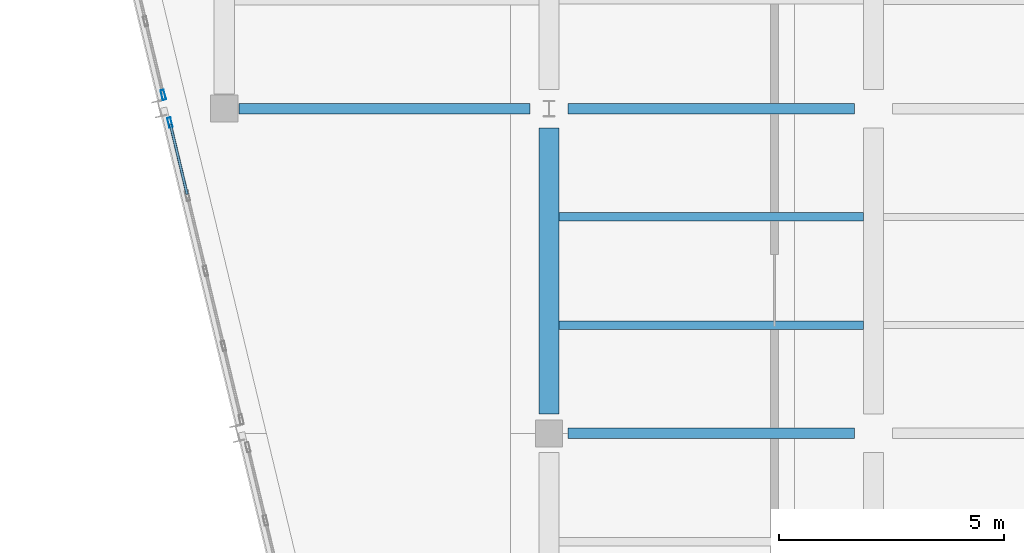
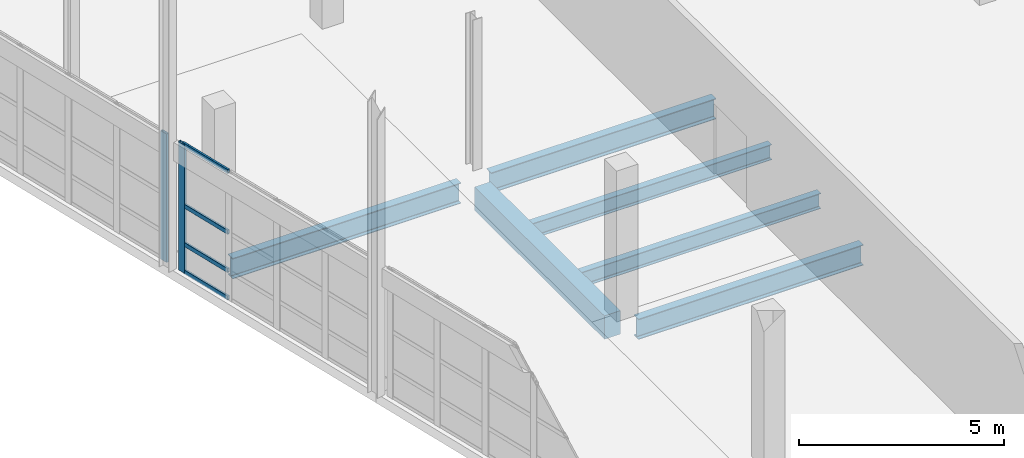
# One storey, part 65 of 123: 6 beams, 6 members, 2 elements without a shape of their own.
"""IFC4 building model written with IfcOpenShell, lengths in metres."""

import ifcopenshell
import ifcopenshell.guid

model = None  # the IFC model being written
_history = None  # IfcOwnerHistory: only IFC2X3 demands one
_inside = {}  # id of a spatial element -> (the spatial element, [elements in it])
_under = {}  # id of a project, library or spatial element -> (it, [spatial elements below it])
_declared = {}  # id of a project -> (the project, [libraries it declares])
_typed = {}  # id of a type object -> (the type object, [elements of that type])
_made_of = {}  # id of a material, layer set ... -> (it, [elements and type objects made of it])


def new_model(schema):
    """Start an empty IFC model of exactly this schema.

    Asked for "IFC4X3", IfcOpenShell would pick the latest addendum, in which some entities
    have other attributes; the version numbers below select the first issue.
    IFC2X3 requires an IfcOwnerHistory on every rooted entity: one is made here for all.
    """
    global model, _history
    if schema == "IFC4X3":
        model = ifcopenshell.file(schema_version=(4, 3, 0, 0))
    else:
        model = ifcopenshell.file(schema=schema)
    _inside.clear()
    _under.clear()
    _declared.clear()
    _typed.clear()
    _made_of.clear()
    _history = None
    if model.schema == "IFC2X3":
        org = make("IfcOrganization", Name="unknown")
        user = make(
            "IfcPersonAndOrganization",
            ThePerson=make("IfcPerson", FamilyName="unknown"),
            TheOrganization=org,
        )
        app = make(
            "IfcApplication",
            ApplicationDeveloper=org,
            Version="unknown",
            ApplicationFullName="unknown",
            ApplicationIdentifier="unknown",
        )
        _history = make(
            "IfcOwnerHistory",
            OwningUser=user,
            OwningApplication=app,
            ChangeAction="ADDED",
            CreationDate=0,
        )
    return model


def make(cls, **values):
    """One entity of the class cls with the attributes given. An attribute that is None is left unset."""
    return model.create_entity(
        cls, **{name: value for name, value in values.items() if value is not None}
    )


def rooted(cls, **values):
    """An entity with a GlobalId (a new one), such as an element, a storey or a relation."""
    return make(cls, GlobalId=ifcopenshell.guid.new(), OwnerHistory=_history, **values)


def si_unit(unit_type, name, prefix=None):
    """IfcSIUnit, for example si_unit("LENGTHUNIT", "METRE", prefix="MILLI")."""
    return make("IfcSIUnit", UnitType=unit_type, Prefix=prefix, Name=name)


def assignment(units):
    """IfcUnitAssignment: the units of a project."""
    return None if units is None else make("IfcUnitAssignment", Units=units)


def point(xyz):
    """IfcCartesianPoint."""
    return None if xyz is None else make("IfcCartesianPoint", Coordinates=xyz)


def direction(xyz):
    """IfcDirection."""
    return None if xyz is None else make("IfcDirection", DirectionRatios=xyz)


def frame(location, z_axis=None, x_axis=None):
    """IfcAxis2Placement3D, a coordinate frame: its origin and axes. An axis left out is left unset."""
    return make(
        "IfcAxis2Placement3D",
        Location=point(location),
        Axis=direction(z_axis),
        RefDirection=direction(x_axis),
    )


def frame_2d(location, x_axis=None):
    """IfcAxis2Placement2D, a coordinate frame in the plane: its origin and x axis."""
    return make(
        "IfcAxis2Placement2D", Location=point(location), RefDirection=direction(x_axis)
    )


def origin():
    """The frame at (0, 0, 0) with its axes left unset."""
    return frame((0.0, 0.0, 0.0))


def origin_2d():
    """The frame at (0, 0) in the plane with its x axis left unset."""
    return frame_2d((0.0, 0.0))


def place(relative_to, where):
    """IfcLocalPlacement: puts the frame where relative to a parent placement (None: the world)."""
    return make(
        "IfcLocalPlacement", PlacementRelTo=relative_to, RelativePlacement=where
    )


def context(
    kind, dimensions, precision=None, world=None, true_north=None, identifier=None
):
    """IfcGeometricRepresentationContext, for example the 3D "Model" context."""
    return make(
        "IfcGeometricRepresentationContext",
        ContextIdentifier=identifier,
        ContextType=kind,
        CoordinateSpaceDimension=dimensions,
        Precision=precision,
        WorldCoordinateSystem=world,
        TrueNorth=true_north,
    )


def subcontext(parent, identifier, kind, view, scale=None):
    """IfcGeometricRepresentationSubContext, for example "Body" below "Model"."""
    return make(
        "IfcGeometricRepresentationSubContext",
        ContextIdentifier=identifier,
        ContextType=kind,
        ParentContext=parent,
        TargetScale=scale,
        TargetView=view,
    )


def project(units=None, contexts=None):
    """IfcProject with its units and contexts."""
    return rooted(
        "IfcProject",
        Name="project",
        RepresentationContexts=contexts,
        UnitsInContext=assignment(units),
    )


def spatial(cls, under=None, at=None, **own):
    """A site, building, storey or space (cls), placed at a placement, below another one or the project."""
    s = rooted(cls, ObjectPlacement=at, **own)
    if under is not None:
        _under.setdefault(under.id(), (under, []))[1].append(s)
    return s


def profile(cls, at=None, kind="AREA", **sizes):
    """A parametric profile (cls). Its sizes go by their IFC names, for example OverallWidth=200.0."""
    return make(cls, ProfileType=kind, Position=at, **sizes)


def rectangle(**sizes):
    """IfcRectangleProfileDef."""
    return profile("IfcRectangleProfileDef", **sizes)


def hollow_rectangle(**sizes):
    """IfcRectangleHollowProfileDef."""
    return profile("IfcRectangleHollowProfileDef", **sizes)


def i_section(**sizes):
    """IfcIShapeProfileDef."""
    return profile("IfcIShapeProfileDef", **sizes)


def extrude(swept, where, along, depth):
    """IfcExtrudedAreaSolid: the profile swept, set in the frame where, extruded along a direction by depth."""
    return make(
        "IfcExtrudedAreaSolid",
        SweptArea=swept,
        Position=where,
        ExtrudedDirection=direction(along),
        Depth=depth,
    )


def shape(context_of_items, identifier, shape_type, items):
    """IfcShapeRepresentation: the items that make up one representation, for example the "Body"."""
    return make(
        "IfcShapeRepresentation",
        ContextOfItems=context_of_items,
        RepresentationIdentifier=identifier,
        RepresentationType=shape_type,
        Items=items,
    )


def material(Name=None, Category=None):
    """IfcMaterial."""
    return make("IfcMaterial", Name=Name, Category=Category)


def material_profile(
    of_material, cross_section, Name=None, Category=None, Priority=None
):
    """IfcMaterialProfile: a cross section and its material."""
    return make(
        "IfcMaterialProfile",
        Name=Name,
        Material=of_material,
        Profile=cross_section,
        Priority=Priority,
        Category=Category,
    )


def profile_set(profiles, Name=None, composite=None):
    """IfcMaterialProfileSet."""
    return make(
        "IfcMaterialProfileSet",
        Name=Name,
        MaterialProfiles=profiles,
        CompositeProfile=composite,
    )


def made_of(thing, what):
    """Note that an element or type object is made of a material, layer set ...; save() writes the relation."""
    if what is not None:
        _made_of.setdefault(what.id(), (what, []))[1].append(thing)
    return thing


def type_object(cls, material=None, **own):
    """A type object (cls), such as IfcWallType, which elements share."""
    return made_of(rooted(cls, **own), material)


def element(
    cls,
    number,
    at=None,
    inside=None,
    cuts=None,
    type_object=None,
    material=None,
    context=None,
    identifier="Body",
    shape_type=None,
    held_by="IfcProductDefinitionShape",
    body=None,
    shapes=None,
    **own,
):
    """One element of the class cls, such as IfcWall. Its Tag is "e" and its number.

    at: its placement. inside: the storey or other place that contains it. cuts: it is an
    opening in that element (IfcRelVoidsElement). A single representation is given by context,
    identifier, shape_type and body (its items); several are given by shapes. held_by: the class
    of the entity that holds the representations. save() writes the other relations.
    """
    e = rooted(cls, Tag="e%d" % number, ObjectPlacement=at, **own)
    if body is not None:
        shapes = [shape(context, identifier, shape_type, body)]
    if shapes is not None:
        e.Representation = make(held_by, Representations=shapes)
    if inside is not None:
        _inside.setdefault(inside.id(), (inside, []))[1].append(e)
    if cuts is not None:
        rooted(
            "IfcRelVoidsElement", RelatingBuildingElement=cuts, RelatedOpeningElement=e
        )
    if type_object is not None:
        _typed.setdefault(type_object.id(), (type_object, []))[1].append(e)
    return made_of(e, material)


def aggregate(whole, parts):
    """IfcRelAggregates: a whole, such as a stair, and the parts it consists of."""
    return rooted("IfcRelAggregates", RelatingObject=whole, RelatedObjects=parts)


def save(model, path):
    """Write the relations noted so far, then the file.

    IfcRelAggregates (storeys below a building ...), IfcRelContainedInSpatialStructure (elements
    in a storey), IfcRelDefinesByType, IfcRelAssociatesMaterial and IfcRelDeclares: one each for
    every whole, place, type object, material and project.
    """
    for whole, parts in _under.values():
        aggregate(whole, parts)
    for where, things in _inside.values():
        rooted(
            "IfcRelContainedInSpatialStructure",
            RelatedElements=things,
            RelatingStructure=where,
        )
    for kind, things in _typed.values():
        rooted("IfcRelDefinesByType", RelatedObjects=things, RelatingType=kind)
    for what, things in _made_of.values():
        rooted("IfcRelAssociatesMaterial", RelatedObjects=things, RelatingMaterial=what)
    for by, libraries in _declared.values():
        rooted("IfcRelDeclares", RelatingContext=by, RelatedDefinitions=libraries)
    model.write(path)


model = new_model("IFC4")

# Units and contexts
model_context = context("Model", 3, precision=1e-05, world=origin(), true_north=direction((0.0, 1.0)))
body_context = subcontext(model_context, "Body", "Model", "MODEL_VIEW")
ifc_project = project(units=[si_unit("LENGTHUNIT", "METRE"), si_unit("AREAUNIT", "SQUARE_METRE"), si_unit("VOLUMEUNIT", "CUBIC_METRE"), si_unit("PLANEANGLEUNIT", "RADIAN"), si_unit("MASSUNIT", "GRAM", prefix="KILO")], contexts=[model_context])

# Site, building, storey
site_placement = place(None, origin())
site = spatial("IfcSite", under=ifc_project, at=site_placement, CompositionType="ELEMENT")
building_placement = place(site_placement, origin())
building = spatial("IfcBuilding", under=site, at=building_placement, Name="Kalmorath City Hall", CompositionType="ELEMENT")
storey_placement = place(building_placement, frame((0.0, 0.0, 10.199951171875)))
storey = spatial("IfcBuildingStorey", under=building, at=storey_placement, Name="L02", CompositionType="ELEMENT", Elevation=10.199951171875)

# Beam
ifc_material_1 = material(Name="Concrete C40/50", Category="concrete")
ifc_material_profile_1 = material_profile(ifc_material_1, rectangle(XDim=0.449951171875, YDim=0.699951171875, at=origin_2d()), Name="RC-BM-450X700")
ifc_profile_set_1 = profile_set([ifc_material_profile_1], Name="Concrete C40/50")
beam_type_1 = type_object("IfcBeamType", Name="Concrete floor beam 450x700", PredefinedType="BEAM", material=ifc_profile_set_1)
beam_1_placement = place(storey_placement, frame((136.800048828125, 72.425048828125, -0.634033203125), z_axis=(0.0, 1.0, 0.0), x_axis=(-1.0, 0.0, 0.0)))
element("IfcBeam", 1, at=beam_1_placement, inside=storey, type_object=beam_type_1, Name="L02 girder CB4 Y20/11-12", PredefinedType="BEAM", context=body_context, shape_type="SweptSolid", body=[
    extrude(rectangle(XDim=0.449951171875, YDim=0.699951171875, at=origin_2d()), origin(), (0.0, 0.0, 1.0), 6.349853515625),
])

# Curtain wall, members
ifc_material_2 = material(Name="Anodised aluminium and laminated glass", Category="aluminium")
curtain_wall_type = type_object("IfcCurtainWallType", Name="Unitised hurricane curtain wall 6849x3835 M1850", PredefinedType="NOTDEFINED", material=ifc_material_2)
curtain_wall_1_placement = place(storey_placement, origin())
curtain_wall_1 = element("IfcCurtainWall", 2, at=curtain_wall_1_placement, inside=storey, type_object=curtain_wall_type, Name="L02 curtain wall CW-68X38M18 #129", PredefinedType="NOTDEFINED")
ifc_material_3 = material(Name="Anodised aluminium framing", Category="aluminium")
ifc_material_profile_2 = material_profile(ifc_material_3, hollow_rectangle(XDim=0.06005859375, YDim=0.1298828125, WallThickness=0.00341796875, InnerFilletRadius=0.00341796875, OuterFilletRadius=0.007080078125, at=origin_2d()), Name="ALU-TRN-130X60X3.5")
ifc_profile_set_2 = profile_set([ifc_material_profile_2], Name="Anodised aluminium framing")
member_type_1 = type_object("IfcMemberType", Name="Curtain-wall courtyard transom 130x60", PredefinedType="USERDEFINED", material=ifc_profile_set_2)
member_1_placement = place(storey_placement, frame((128.777099609375, 77.301513671875, 0.030029296875), z_axis=(-0.233332550128, 0.972396997656, 0.0), x_axis=(-0.972396997656, -0.233332550128, 0.0)))
member_1 = element("IfcMember", 3, at=member_1_placement, type_object=member_type_1, Name="CW-68X38M18 transom 4.1", ObjectType="TRANSOM", PredefinedType="USERDEFINED", context=body_context, shape_type="SweptSolid", body=[
    extrude(hollow_rectangle(XDim=0.06005859375, YDim=0.1298828125, WallThickness=0.00341796875, InnerFilletRadius=0.00341796875, OuterFilletRadius=0.007080078125, at=origin_2d()), origin(), (0.0, 0.0, 1.0), 1.599853515625),
])
member_2_placement = place(storey_placement, frame((128.777099609375, 77.301513671875, 0.85009765625), z_axis=(-0.233332550128, 0.972396997656, 0.0), x_axis=(-0.972396997656, -0.233332550128, 0.0)))
member_2 = element("IfcMember", 4, at=member_2_placement, type_object=member_type_1, Name="CW-68X38M18 transom 4.2", ObjectType="TRANSOM", PredefinedType="USERDEFINED", context=body_context, shape_type="SweptSolid", body=[
    extrude(hollow_rectangle(XDim=0.06005859375, YDim=0.1298828125, WallThickness=0.00341796875, InnerFilletRadius=0.00341796875, OuterFilletRadius=0.007080078125, at=origin_2d()), origin(), (0.0, 0.0, 1.0), 1.599853515625),
])
member_3_placement = place(storey_placement, frame((128.777099609375, 77.301513671875, 1.994140625), z_axis=(-0.233332550128, 0.972396997656, 0.0), x_axis=(-0.972396997656, -0.233332550128, 0.0)))
member_3 = element("IfcMember", 5, at=member_3_placement, type_object=member_type_1, Name="CW-68X38M18 transom 4.3", ObjectType="TRANSOM", PredefinedType="USERDEFINED", context=body_context, shape_type="SweptSolid", body=[
    extrude(hollow_rectangle(XDim=0.06005859375, YDim=0.1298828125, WallThickness=0.00341796875, InnerFilletRadius=0.00341796875, OuterFilletRadius=0.007080078125, at=origin_2d()), origin(), (0.0, 0.0, 1.0), 1.599853515625),
])
member_4_placement = place(storey_placement, frame((128.777099609375, 77.301513671875, 3.804931640625), z_axis=(-0.233332550128, 0.972396997656, 0.0), x_axis=(-0.972396997656, -0.233332550128, 0.0)))
member_4 = element("IfcMember", 6, at=member_4_placement, type_object=member_type_1, Name="CW-68X38M18 transom 4.4", ObjectType="TRANSOM", PredefinedType="USERDEFINED", context=body_context, shape_type="SweptSolid", body=[
    extrude(hollow_rectangle(XDim=0.06005859375, YDim=0.1298828125, WallThickness=0.00341796875, InnerFilletRadius=0.00341796875, OuterFilletRadius=0.007080078125, at=origin_2d()), origin(), (0.0, 0.0, 1.0), 1.599853515625),
])
ifc_material_4 = material(Name="Anodised aluminium framing", Category="aluminium")
ifc_material_profile_3 = material_profile(ifc_material_4, hollow_rectangle(XDim=0.074951171875, YDim=0.219970703125, WallThickness=0.00390625, InnerFilletRadius=0.00390625, OuterFilletRadius=0.008056640625, at=origin_2d()), Name="ALU-MUL-220X75X4")
ifc_profile_set_3 = profile_set([ifc_material_profile_3], Name="Anodised aluminium framing")
member_type_2 = type_object("IfcMemberType", Name="Curtain-wall primary mullion 220x75", PredefinedType="MULLION", material=ifc_profile_set_3)
member_5_placement = place(storey_placement, frame((128.39501953125, 78.8935546875, 0.0), z_axis=(0.0, 0.0, 1.0), x_axis=(-0.97236741933, -0.233455781305, 0.0)))
member_5 = element("IfcMember", 7, at=member_5_placement, type_object=member_type_2, Name="CW-68X38M18 mullion 5", PredefinedType="MULLION", context=body_context, shape_type="SweptSolid", body=[
    extrude(hollow_rectangle(XDim=0.074951171875, YDim=0.219970703125, WallThickness=0.00390625, InnerFilletRadius=0.00390625, OuterFilletRadius=0.008056640625, at=origin_2d()), origin(), (0.0, 0.0, 1.0), 3.8349609375),
])
aggregate(curtain_wall_1, [member_5, member_1, member_2, member_3, member_4])

# Curtain wall, member
curtain_wall_2_placement = place(storey_placement, origin())
curtain_wall_2 = element("IfcCurtainWall", 8, at=curtain_wall_2_placement, inside=storey, type_object=curtain_wall_type, Name="L02 curtain wall CW-68X38M18 #130", PredefinedType="NOTDEFINED")
member_6_placement = place(storey_placement, frame((128.247802734375, 79.50634765625, 0.0), z_axis=(0.0, 0.0, 1.0), x_axis=(-0.97236741933, -0.233455781305, 0.0)))
member_6 = element("IfcMember", 9, at=member_6_placement, type_object=member_type_2, Name="CW-68X38M18 mullion 1", PredefinedType="MULLION", context=body_context, shape_type="SweptSolid", body=[
    extrude(hollow_rectangle(XDim=0.074951171875, YDim=0.219970703125, WallThickness=0.00390625, InnerFilletRadius=0.00390625, OuterFilletRadius=0.008056640625, at=origin_2d()), origin(), (0.0, 0.0, 1.0), 3.8349609375),
])
aggregate(curtain_wall_2, [member_6])

# Beams
ifc_material_5 = material(Name="Steel ASTM A992 Grade 50", Category="steel")
ifc_material_profile_4 = material_profile(ifc_material_5, i_section(OverallWidth=0.19091796875, OverallDepth=0.45703125, WebThickness=0.009033203125, FlangeThickness=0.014404296875, FilletRadius=0.013916015625, at=origin_2d()), Name="W18X50")
ifc_profile_set_4 = profile_set([ifc_material_profile_4], Name="Steel ASTM A992 Grade 50")
beam_type_2 = type_object("IfcBeamType", Name="Steel composite joist W18X50", PredefinedType="JOIST", material=ifc_profile_set_4)
for number, where, z_axis, x_axis, name in (
    (10, (137.02490234375, 74.39990234375, -0.512451171875), (1.0, 0.0, 0.0), (0.0, 1.0, 0.0), "L02 joist SJ3 20.11.1"),
    (11, (137.02490234375, 76.800048828125, -0.512451171875), (1.0, 0.0, 0.0), (0.0, 1.0, 0.0), "L02 joist SJ3 20.11.2"),
):
    element("IfcBeam", number, at=place(storey_placement, frame(where, z_axis=z_axis, x_axis=x_axis)), inside=storey, type_object=beam_type_2, Name=name, PredefinedType="JOIST", context=body_context, shape_type="SweptSolid", body=[
        extrude(i_section(OverallWidth=0.19091796875, OverallDepth=0.45703125, WebThickness=0.009033203125, FlangeThickness=0.014404296875, FilletRadius=0.013916015625, at=origin_2d()), origin(), (0.0, 0.0, 1.0), 6.75),
    ])
ifc_material_6 = material(Name="Steel ASTM A992 Grade 50", Category="steel")
ifc_material_profile_5 = material_profile(ifc_material_6, i_section(OverallWidth=0.22900390625, OverallDepth=0.612060546875, WebThickness=0.011962890625, FlangeThickness=0.01953125, FilletRadius=0.01611328125, at=origin_2d()), Name="W24X84")
ifc_profile_set_5 = profile_set([ifc_material_profile_5], Name="Steel ASTM A992 Grade 50")
beam_type_3 = type_object("IfcBeamType", Name="Steel floor girder W24X84", PredefinedType="BEAM", material=ifc_profile_set_5)
beam_2_placement = place(storey_placement, frame((137.22509765625, 72.0, -0.58984375), z_axis=(1.0, 0.0, 0.0), x_axis=(0.0, 1.0, 0.0)))
element("IfcBeam", 12, at=beam_2_placement, inside=storey, type_object=beam_type_3, Name="L02 girder SG8 X20-21/11", PredefinedType="BEAM", context=body_context, shape_type="SweptSolid", body=[
    extrude(i_section(OverallWidth=0.22900390625, OverallDepth=0.612060546875, WebThickness=0.011962890625, FlangeThickness=0.01953125, FilletRadius=0.01611328125, at=origin_2d()), origin(), (0.0, 0.0, 1.0), 6.349853515625),
])
beam_3_placement = place(storey_placement, frame((129.925048828125, 79.199951171875, -0.58984375), z_axis=(1.0, 0.0, 0.0), x_axis=(0.0, 1.0, 0.0)))
element("IfcBeam", 13, at=beam_3_placement, inside=storey, type_object=beam_type_3, Name="L02 girder SG8 X19-20/12", PredefinedType="BEAM", context=body_context, shape_type="SweptSolid", body=[
    extrude(i_section(OverallWidth=0.22900390625, OverallDepth=0.612060546875, WebThickness=0.011962890625, FlangeThickness=0.01953125, FilletRadius=0.01611328125, at=origin_2d()), origin(), (0.0, 0.0, 1.0), 6.449951171875),
])
beam_4_placement = place(storey_placement, frame((137.22509765625, 79.199951171875, -0.58984375), z_axis=(1.0, 0.0, 0.0), x_axis=(0.0, 1.0, 0.0)))
element("IfcBeam", 14, at=beam_4_placement, inside=storey, type_object=beam_type_3, Name="L02 girder SG8 X20-21/12", PredefinedType="BEAM", context=body_context, shape_type="SweptSolid", body=[
    extrude(i_section(OverallWidth=0.22900390625, OverallDepth=0.612060546875, WebThickness=0.011962890625, FlangeThickness=0.01953125, FilletRadius=0.01611328125, at=origin_2d()), origin(), (0.0, 0.0, 1.0), 6.349853515625),
])

save(model, "model.ifc")
